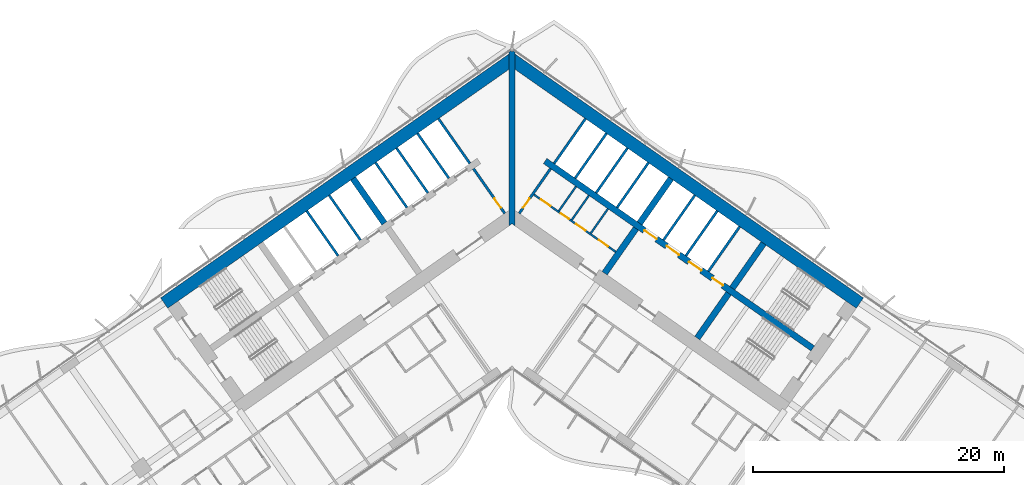
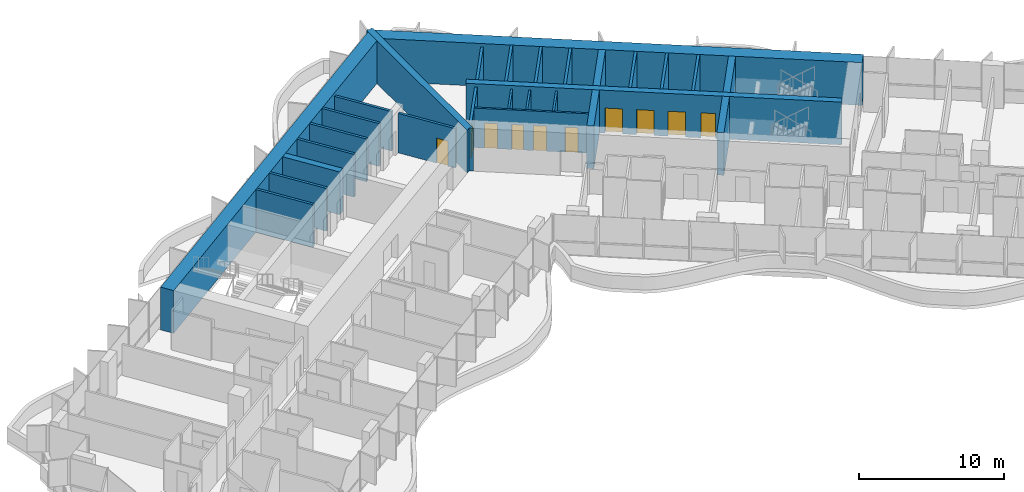
# One storey, part 16 of 25: 28 walls, 10 doors, 10 openings.
"""IFC4 building model written with IfcOpenShell, lengths in metres."""

from ifc_helpers import new_model, si_unit, direction, frame, frame_2d, origin, place, context, subcontext, project, spatial, polyline, rectangle, outline, extrude, material, layer, layer_set, type_object, element, fill, save


model = new_model("IFC4")

# Units and contexts
model_context = context("Model", 3, precision=1e-05, world=origin(), true_north=direction((0.0, 1.0)))
body_context = subcontext(model_context, "Body", "Model", "MODEL_VIEW")
ifc_project = project(units=[si_unit("LENGTHUNIT", "METRE"), si_unit("AREAUNIT", "SQUARE_METRE"), si_unit("VOLUMEUNIT", "CUBIC_METRE"), si_unit("PLANEANGLEUNIT", "RADIAN"), si_unit("MASSUNIT", "GRAM", prefix="KILO")], contexts=[model_context])

# Site, building, storey
site_placement = place(None, origin())
site = spatial("IfcSite", under=ifc_project, at=site_placement, CompositionType="ELEMENT")
building_placement = place(site_placement, origin())
building = spatial("IfcBuilding", under=site, at=building_placement, Name="Tel Ilan Convention Tower", CompositionType="ELEMENT")
storey_placement = place(building_placement, frame((0.0, 0.0, 54.5)))
storey = spatial("IfcBuildingStorey", under=building, at=storey_placement, Name="L08", CompositionType="ELEMENT", Elevation=54.5)

# Wall, openings, doors
ifc_material_1 = material(Name="Gypsum Plasterboard on Steel Stud", Category="steel")
ifc_layer_1 = layer(ifc_material_1, 0.14990234375)
ifc_layer_set_1 = layer_set([ifc_layer_1], Name="Core Room Partition Wall 150 mm EI 60")
wall_type_1 = type_object("IfcWallType", Name="Core Room Partition Wall 150 mm EI 60", PredefinedType="PARTITIONING", material=ifc_layer_set_1)
wall_1_placement = place(storey_placement, frame((1.7451171875, 1.097412109375, 0.0), z_axis=(0.0, 0.0, 1.0), x_axis=(0.819156890572, -0.573569515079, 0.0)))
wall_1 = element("IfcWall", 1, at=wall_1_placement, inside=storey, type_object=wall_type_1, Name="L08 core wall wc-h1", PredefinedType="PARTITIONING", context=body_context, shape_type="SweptSolid", body=[
    extrude(rectangle(XDim=7.949951171875, YDim=0.14990234375, at=frame_2d((3.97509765625, 0.0))), origin(), (0.0, 0.0, 1.0), 3.320068359375),
])
opening_1_placement = place(wall_1_placement, frame((0.699951171875, 0.0, 0.0)))
opening_1 = element("IfcOpeningElement", 2, at=opening_1_placement, cuts=wall_1, Name="Opening CD1110", PredefinedType="OPENING", context=body_context, shape_type="SweptSolid", body=[
    extrude(rectangle(XDim=0.89990234375, YDim=2.10009765625, at=frame_2d((0.449951171875, 1.050048828125))), frame((0.0, 0.0849609375, 0.0), z_axis=(0.0, -1.0, 0.0), x_axis=(1.0, 0.0, 0.0)), (0.0, 0.0, 1.0), 0.169921875),
])
opening_2_placement = place(wall_1_placement, frame((2.60009765625, 0.0, 0.0)))
opening_2 = element("IfcOpeningElement", 3, at=opening_2_placement, cuts=wall_1, Name="Opening CD1109", PredefinedType="OPENING", context=body_context, shape_type="SweptSolid", body=[
    extrude(rectangle(XDim=0.800048828125, YDim=2.10009765625, at=frame_2d((0.39990234375, 1.050048828125))), frame((0.0, 0.0849609375, 0.0), z_axis=(0.0, -1.0, 0.0), x_axis=(1.0, 0.0, 0.0)), (0.0, 0.0, 1.0), 0.169921875),
])
opening_3_placement = place(wall_1_placement, frame((4.10009765625, 0.0, 0.0)))
opening_3 = element("IfcOpeningElement", 4, at=opening_3_placement, cuts=wall_1, Name="Opening CD1108", PredefinedType="OPENING", context=body_context, shape_type="SweptSolid", body=[
    extrude(rectangle(XDim=0.89990234375, YDim=2.10009765625, at=frame_2d((0.449951171875, 1.050048828125))), frame((0.0, 0.0849609375, 0.0), z_axis=(0.0, -1.0, 0.0), x_axis=(1.0, 0.0, 0.0)), (0.0, 0.0, 1.0), 0.169921875),
])
opening_4_placement = place(wall_1_placement, frame((6.300048828125, 0.0, 0.0)))
opening_4 = element("IfcOpeningElement", 5, at=opening_4_placement, cuts=wall_1, Name="Opening CD1111", PredefinedType="OPENING", context=body_context, shape_type="SweptSolid", body=[
    extrude(rectangle(XDim=0.89990234375, YDim=2.10009765625, at=frame_2d((0.449951171875, 1.050048828125))), frame((0.0, 0.0849609375, 0.0), z_axis=(0.0, -1.0, 0.0), x_axis=(1.0, 0.0, 0.0)), (0.0, 0.0, 1.0), 0.169921875),
])
ifc_material_2 = material(Name="Galvanised Steel Door Leaf", Category="steel")
door_type_1 = type_object("IfcDoorType", Name="Store Door 800 x 2100 FD60", OperationType="NOTDEFINED", PredefinedType="DOOR", material=ifc_material_2)
door_1_placement = place(opening_2_placement, origin())
door_1 = element("IfcDoor", 6, at=door_1_placement, inside=storey, type_object=door_type_1, Name="Cleaner's store door", OperationType="SINGLE_SWING_RIGHT", OverallHeight=2.10009765625, OverallWidth=0.800048828125, PredefinedType="DOOR", context=body_context, shape_type="SweptSolid", body=[
    extrude(rectangle(XDim=0.800048828125, YDim=2.10009765625, at=frame_2d((0.39990234375, 1.050048828125))), frame((0.0, 0.02490234375, 0.0), z_axis=(0.0, -1.0, 0.0), x_axis=(1.0, 0.0, 0.0)), (0.0, 0.0, 1.0), 0.050048828125),
])
fill(opening_2, door_1)
ifc_material_3 = material(Name="Laminated Timber Door Leaf", Category="wood")
door_type_2 = type_object("IfcDoorType", Name="Toilet Door 900 x 2100 FD30S", OperationType="NOTDEFINED", PredefinedType="DOOR", material=ifc_material_3)
door_2_placement = place(opening_1_placement, origin())
door_2 = element("IfcDoor", 7, at=door_2_placement, inside=storey, type_object=door_type_2, Name="Men's WC door", OperationType="SINGLE_SWING_RIGHT", OverallHeight=2.10009765625, OverallWidth=0.89990234375, PredefinedType="DOOR", context=body_context, shape_type="SweptSolid", body=[
    extrude(rectangle(XDim=0.89990234375, YDim=2.10009765625, at=frame_2d((0.449951171875, 1.050048828125))), frame((0.0, 0.02490234375, 0.0), z_axis=(0.0, -1.0, 0.0), x_axis=(1.0, 0.0, 0.0)), (0.0, 0.0, 1.0), 0.050048828125),
])
fill(opening_1, door_2)
door_3_placement = place(opening_3_placement, origin())
door_3 = element("IfcDoor", 8, at=door_3_placement, inside=storey, type_object=door_type_2, Name="Accessible WC door", OperationType="SINGLE_SWING_RIGHT", OverallHeight=2.10009765625, OverallWidth=0.89990234375, PredefinedType="DOOR", context=body_context, shape_type="SweptSolid", body=[
    extrude(rectangle(XDim=0.89990234375, YDim=2.10009765625, at=frame_2d((0.449951171875, 1.050048828125))), frame((0.0, 0.02490234375, 0.0), z_axis=(0.0, -1.0, 0.0), x_axis=(1.0, 0.0, 0.0)), (0.0, 0.0, 1.0), 0.050048828125),
])
fill(opening_3, door_3)
door_4_placement = place(opening_4_placement, origin())
door_4 = element("IfcDoor", 9, at=door_4_placement, inside=storey, type_object=door_type_2, Name="Women's WC door", OperationType="SINGLE_SWING_RIGHT", OverallHeight=2.10009765625, OverallWidth=0.89990234375, PredefinedType="DOOR", context=body_context, shape_type="SweptSolid", body=[
    extrude(rectangle(XDim=0.89990234375, YDim=2.10009765625, at=frame_2d((0.449951171875, 1.050048828125))), frame((0.0, 0.02490234375, 0.0), z_axis=(0.0, -1.0, 0.0), x_axis=(1.0, 0.0, 0.0)), (0.0, 0.0, 1.0), 0.050048828125),
])
fill(opening_4, door_4)

# Walls
for number, where, z_axis, x_axis, name in (
    (10, (3.733642578125, -0.203369140625, 0.0), (0.0, 0.0, 1.0), (0.573579618003, 0.819149816463, 0.0), "L08 core wall wc-v0"),
    (11, (4.757568359375, -0.92041015625, 0.0), (0.0, 0.0, 1.0), (0.573579618003, 0.819149816463, 0.0), "L08 core wall wc-v1"),
    (12, (6.27294921875, -1.9814453125, 0.0), (0.0, 0.0, 1.0), (0.573579618003, 0.819149816463, 0.0), "L08 core wall wc-v2"),
):
    element("IfcWall", number, at=place(storey_placement, frame(where, z_axis=z_axis, x_axis=x_axis)), inside=storey, type_object=wall_type_1, Name=name, PredefinedType="PARTITIONING", context=body_context, shape_type="SweptSolid", body=[
        extrude(rectangle(XDim=2.375, YDim=0.14990234375, at=frame_2d((1.1875, 0.0))), origin(), (0.0, 0.0, 1.0), 3.320068359375),
    ])

# Wall, opening, door
ifc_material_4 = material(Name="Concrete C30/37", Category="concrete")
ifc_layer_2 = layer(ifc_material_4, 0.199951171875)
ifc_layer_set_2 = layer_set([ifc_layer_2], Name="Core Service Room Wall 200 mm C30/37")
wall_type_2 = type_object("IfcWallType", Name="Core Service Room Wall 200 mm C30/37", PredefinedType="SOLIDWALL", material=ifc_layer_set_2)
wall_2_placement = place(storey_placement, frame((-0.573486328125, -0.401611328125, 0.0), z_axis=(0.0, 0.0, 1.0), x_axis=(-0.57356780395, 0.819158088694, 0.0)))
wall_2 = element("IfcWall", 13, at=wall_2_placement, inside=storey, type_object=wall_type_2, Name="L08 core wall apex-W", PredefinedType="SOLIDWALL", context=body_context, shape_type="SweptSolid", body=[
    extrude(rectangle(XDim=4.35009765625, YDim=0.199951171875, at=frame_2d((2.175048828125, 0.0))), origin(), (0.0, 0.0, 1.0), 3.320068359375),
])
opening_5_placement = place(wall_2_placement, frame((0.550048828125, 0.0, 0.0)))
opening_5 = element("IfcOpeningElement", 14, at=opening_5_placement, cuts=wall_2, Name="Opening CD1102", PredefinedType="OPENING", context=body_context, shape_type="SweptSolid", body=[
    extrude(rectangle(XDim=0.89990234375, YDim=2.10009765625, at=frame_2d((0.449951171875, 1.050048828125))), frame((0.0, 0.10986328125, 0.0), z_axis=(0.0, -1.0, 0.0), x_axis=(1.0, 0.0, 0.0)), (0.0, 0.0, 1.0), 0.219970703125),
])
ifc_material_5 = material(Name="Galvanised Steel Door Leaf", Category="steel")
door_type_3 = type_object("IfcDoorType", Name="Service Room Door 900 x 2100 FD60", OperationType="NOTDEFINED", PredefinedType="DOOR", material=ifc_material_5)
door_5_placement = place(opening_5_placement, origin())
door_5 = element("IfcDoor", 15, at=door_5_placement, inside=storey, type_object=door_type_3, Name="Riser Room door", OperationType="SINGLE_SWING_RIGHT", OverallHeight=2.10009765625, OverallWidth=0.89990234375, PredefinedType="DOOR", context=body_context, shape_type="SweptSolid", body=[
    extrude(rectangle(XDim=0.89990234375, YDim=2.10009765625, at=frame_2d((0.449951171875, 1.050048828125))), frame((0.0, 0.02490234375, 0.0), z_axis=(0.0, -1.0, 0.0), x_axis=(1.0, 0.0, 0.0)), (0.0, 0.0, 1.0), 0.050048828125),
])
fill(opening_5, door_5)

# Wall
wall_3_placement = place(storey_placement, frame((-3.355224609375, 3.5712890625, 0.0), z_axis=(0.0, 0.0, 1.0), x_axis=(-0.57356780395, 0.819158088694, 0.0)))
element("IfcWall", 16, at=wall_3_placement, inside=storey, type_object=wall_type_2, Name="L08 core wall apex-W-b", PredefinedType="SOLIDWALL", context=body_context, shape_type="SweptSolid", body=[
    extrude(rectangle(XDim=4.35009765625, YDim=0.199951171875, at=frame_2d((2.175048828125, 0.0))), origin(), (0.0, 0.0, 1.0), 3.320068359375),
])

# Wall, opening, door
wall_4_placement = place(storey_placement, frame((0.573486328125, -0.401611328125, 0.0), z_axis=(0.0, 0.0, 1.0), x_axis=(0.57356780395, 0.819158088694, 0.0)))
wall_4 = element("IfcWall", 17, at=wall_4_placement, inside=storey, type_object=wall_type_2, Name="L08 core wall apex-E", PredefinedType="SOLIDWALL", context=body_context, shape_type="SweptSolid", body=[
    extrude(rectangle(XDim=4.35009765625, YDim=0.199951171875, at=frame_2d((2.175048828125, 0.0))), origin(), (0.0, 0.0, 1.0), 3.320068359375),
])
opening_6_placement = place(wall_4_placement, frame((0.550048828125, 0.0, 0.0)))
opening_6 = element("IfcOpeningElement", 18, at=opening_6_placement, cuts=wall_4, Name="Opening CD1101", PredefinedType="OPENING", context=body_context, shape_type="SweptSolid", body=[
    extrude(rectangle(XDim=0.89990234375, YDim=2.10009765625, at=frame_2d((0.449951171875, 1.050048828125))), frame((0.0, 0.10986328125, 0.0), z_axis=(0.0, -1.0, 0.0), x_axis=(1.0, 0.0, 0.0)), (0.0, 0.0, 1.0), 0.219970703125),
])
door_6_placement = place(opening_6_placement, origin())
door_6 = element("IfcDoor", 19, at=door_6_placement, inside=storey, type_object=door_type_3, Name="Electrical Room door", OperationType="SINGLE_SWING_RIGHT", OverallHeight=2.10009765625, OverallWidth=0.89990234375, PredefinedType="DOOR", context=body_context, shape_type="SweptSolid", body=[
    extrude(rectangle(XDim=0.89990234375, YDim=2.10009765625, at=frame_2d((0.449951171875, 1.050048828125))), frame((0.0, 0.02490234375, 0.0), z_axis=(0.0, -1.0, 0.0), x_axis=(1.0, 0.0, 0.0)), (0.0, 0.0, 1.0), 0.050048828125),
])
fill(opening_6, door_6)

# Walls
wall_5_placement = place(storey_placement, frame((3.355224609375, 3.5712890625, 0.0), z_axis=(0.0, 0.0, 1.0), x_axis=(0.57356780395, 0.819158088694, 0.0)))
element("IfcWall", 20, at=wall_5_placement, inside=storey, type_object=wall_type_2, Name="L08 core wall apex-E-b", PredefinedType="SOLIDWALL", context=body_context, shape_type="SweptSolid", body=[
    extrude(rectangle(XDim=4.35009765625, YDim=0.199951171875, at=frame_2d((2.175048828125, 0.0))), origin(), (0.0, 0.0, 1.0), 3.320068359375),
])
ifc_material_6 = material(Name="Concrete C60/75", Category="concrete")
ifc_layer_3 = layer(ifc_material_6, 1.0)
ifc_layer_set_3 = layer_set([ifc_layer_3], Name="Core Shear Wall 1000 mm C60/75")
wall_type_3 = type_object("IfcWallType", Name="Core Shear Wall 1000 mm C60/75", PredefinedType="SHEAR", material=ifc_layer_set_3)
wall_6_placement = place(storey_placement, frame((0.036865234375, 11.8671875, 0.0), z_axis=(0.0, 0.0, 1.0), x_axis=(-0.819155306259, -0.573571777746, 0.0)))
element("IfcWall", 21, at=wall_6_placement, inside=storey, type_object=wall_type_3, Name="L08 core wall W-back", PredefinedType="SHEAR", context=body_context, shape_type="SweptSolid", body=[
    extrude(outline(polyline([(33.8369140625, 0.5), (0.7001953125, 0.499755859375), (0.0, -0.5), (33.8369140625, -0.5), (33.8369140625, 0.5)])), origin(), (0.0, 0.0, 1.0), 3.60009765625),
])
wall_7_placement = place(storey_placement, frame((-0.036865234375, 11.8671875, 0.0), z_axis=(0.0, 0.0, 1.0), x_axis=(0.819155306259, -0.573571777746, 0.0)))
element("IfcWall", 22, at=wall_7_placement, inside=storey, type_object=wall_type_3, Name="L08 core wall E-back", PredefinedType="SHEAR", context=body_context, shape_type="SweptSolid", body=[
    extrude(outline(polyline([(33.8369140625, 0.5), (0.0, 0.5), (0.7001953125, -0.499755859375), (33.8369140625, -0.5), (33.8369140625, 0.5)])), origin(), (0.0, 0.0, 1.0), 3.60009765625),
])
ifc_material_7 = material(Name="Concrete C60/75", Category="concrete")
ifc_layer_4 = layer(ifc_material_7, 0.5)
ifc_layer_set_4 = layer_set([ifc_layer_4], Name="Core Shear Wall 500 mm C60/75")
wall_type_4 = type_object("IfcWallType", Name="Core Shear Wall 500 mm C60/75", PredefinedType="SHEAR", material=ifc_layer_set_4)
wall_8_placement = place(storey_placement, frame((-10.154296875, -1.189208984375, 0.0), z_axis=(0.0, 0.0, 1.0), x_axis=(-0.573594173421, 0.819139624372, 0.0)))
element("IfcWall", 23, at=wall_8_placement, inside=storey, type_object=wall_type_4, Name="L08 core wall W-cross1-2", PredefinedType="SHEAR", context=body_context, shape_type="SweptSolid", body=[
    extrude(outline(polyline([(4.349853515625, -0.25), (4.349853515625, 0.25), (-0.000244140625, 0.25), (-0.000244140625, -0.25), (4.349853515625, -0.25)])), origin(), (0.0, 0.0, 1.0), 3.60009765625),
])
wall_9_placement = place(storey_placement, frame((7.372314453125, -5.162109375, 0.0), z_axis=(0.0, 0.0, 1.0), x_axis=(0.573594173421, 0.819139624372, 0.0)))
element("IfcWall", 24, at=wall_9_placement, inside=storey, type_object=wall_type_4, Name="L08 core wall E-cross1-1", PredefinedType="SHEAR", context=body_context, shape_type="SweptSolid", body=[
    extrude(outline(polyline([(0.0, 0.25), (0.0, -0.250244140625), (4.349853515625, -0.25), (4.349853515625, 0.25), (0.0, 0.25)])), origin(), (0.0, 0.0, 1.0), 3.60009765625),
])
wall_10_placement = place(storey_placement, frame((10.154296875, -1.189208984375, 0.0), z_axis=(0.0, 0.0, 1.0), x_axis=(0.573594173421, 0.819139624372, 0.0)))
element("IfcWall", 25, at=wall_10_placement, inside=storey, type_object=wall_type_4, Name="L08 core wall E-cross1-2", PredefinedType="SHEAR", context=body_context, shape_type="SweptSolid", body=[
    extrude(outline(polyline([(4.349853515625, -0.25), (4.349853515625, 0.25), (-0.000244140625, 0.25), (-0.000244140625, -0.25), (4.349853515625, -0.25)])), origin(), (0.0, 0.0, 1.0), 3.60009765625),
])
wall_11_placement = place(storey_placement, frame((14.74462890625, -10.324462890625, 0.0), z_axis=(0.0, 0.0, 1.0), x_axis=(0.57356780395, 0.819158088694, 0.0)))
element("IfcWall", 26, at=wall_11_placement, inside=storey, type_object=wall_type_4, Name="L08 core wall E-cross2-1", PredefinedType="SHEAR", context=body_context, shape_type="SweptSolid", body=[
    extrude(outline(polyline([(0.0, 0.25), (0.0, -0.25), (4.35009765625, -0.250244140625), (4.35009765625, 0.25), (0.0, 0.25)])), origin(), (0.0, 0.0, 1.0), 3.60009765625),
])
wall_12_placement = place(storey_placement, frame((17.526611328125, -6.3515625, 0.0), z_axis=(0.0, 0.0, 1.0), x_axis=(0.573530143085, 0.819184457233, 0.0)))
element("IfcWall", 27, at=wall_12_placement, inside=storey, type_object=wall_type_4, Name="L08 core wall E-cross2-2", PredefinedType="SHEAR", context=body_context, shape_type="SweptSolid", body=[
    extrude(outline(polyline([(4.35009765625, -0.250244140625), (4.35009765625, 0.249755859375), (0.0, 0.25), (0.0, -0.25), (4.35009765625, -0.250244140625)])), origin(), (0.0, 0.0, 1.0), 3.60009765625),
])

# Wall, openings, doors
wall_13_placement = place(storey_placement, frame((2.638427734375, 3.76806640625, 0.0), z_axis=(0.0, 0.0, 1.0), x_axis=(0.819148977158, -0.573580816643, 0.0)))
wall_13 = element("IfcWall", 28, at=wall_13_placement, inside=storey, type_object=wall_type_4, Name="L08 core wall E-spine", PredefinedType="SHEAR", context=body_context, shape_type="SweptSolid", body=[
    extrude(outline(polyline([(0.0, 0.25), (0.0, -0.25), (26.0, -0.249755859375), (26.0, 0.250244140625), (0.0, 0.25)])), origin(), (0.0, 0.0, 1.0), 3.60009765625),
])
opening_7_placement = place(wall_13_placement, frame((9.637451171875, 0.0, 0.0)))
opening_7 = element("IfcOpeningElement", 29, at=opening_7_placement, cuts=wall_13, Name="Opening LD1101", PredefinedType="OPENING", context=body_context, shape_type="SweptSolid", body=[
    extrude(rectangle(XDim=1.199951171875, YDim=2.10009765625, at=frame_2d((0.60009765625, 1.050048828125))), frame((0.0, 0.260009765625, 0.0), z_axis=(0.0, -1.0, 0.0), x_axis=(1.0, 0.0, 0.0)), (0.0, 0.0, 1.0), 0.52001953125),
])
opening_8_placement = place(wall_13_placement, frame((11.8125, 0.0, 0.0)))
opening_8 = element("IfcOpeningElement", 30, at=opening_8_placement, cuts=wall_13, Name="Opening LD1102", PredefinedType="OPENING", context=body_context, shape_type="SweptSolid", body=[
    extrude(rectangle(XDim=1.199951171875, YDim=2.10009765625, at=frame_2d((0.60009765625, 1.050048828125))), frame((0.0, 0.260009765625, 0.0), z_axis=(0.0, -1.0, 0.0), x_axis=(1.0, 0.0, 0.0)), (0.0, 0.0, 1.0), 0.52001953125),
])
opening_9_placement = place(wall_13_placement, frame((13.987548828125, 0.0, 0.0)))
opening_9 = element("IfcOpeningElement", 31, at=opening_9_placement, cuts=wall_13, Name="Opening LD1103", PredefinedType="OPENING", context=body_context, shape_type="SweptSolid", body=[
    extrude(rectangle(XDim=1.199951171875, YDim=2.10009765625, at=frame_2d((0.60009765625, 1.050048828125))), frame((0.0, 0.260009765625, 0.0), z_axis=(0.0, -1.0, 0.0), x_axis=(1.0, 0.0, 0.0)), (0.0, 0.0, 1.0), 0.52001953125),
])
opening_10_placement = place(wall_13_placement, frame((16.262451171875, 0.0, 0.0)))
opening_10 = element("IfcOpeningElement", 32, at=opening_10_placement, cuts=wall_13, Name="Opening CD1107", PredefinedType="OPENING", context=body_context, shape_type="SweptSolid", body=[
    extrude(rectangle(XDim=1.0, YDim=2.10009765625, at=frame_2d((0.5, 1.050048828125))), frame((0.0, 0.260009765625, 0.0), z_axis=(0.0, -1.0, 0.0), x_axis=(1.0, 0.0, 0.0)), (0.0, 0.0, 1.0), 0.52001953125),
])
ifc_material_8 = material(Name="Stainless Steel Sliding Door Leaf", Category="steel")
door_type_4 = type_object("IfcDoorType", Name="Lift Landing Door 1200 x 2100 FD120", OperationType="NOTDEFINED", PredefinedType="DOOR", material=ifc_material_8)
door_7_placement = place(opening_7_placement, origin())
door_7 = element("IfcDoor", 33, at=door_7_placement, inside=storey, type_object=door_type_4, Name="Lift FL1 landing door", OperationType="SLIDING_TO_LEFT", OverallHeight=2.10009765625, OverallWidth=1.199951171875, PredefinedType="DOOR", context=body_context, shape_type="SweptSolid", body=[
    extrude(rectangle(XDim=1.199951171875, YDim=2.10009765625, at=frame_2d((0.60009765625, 1.050048828125))), frame((0.0, 0.02490234375, 0.0), z_axis=(0.0, -1.0, 0.0), x_axis=(1.0, 0.0, 0.0)), (0.0, 0.0, 1.0), 0.050048828125),
])
fill(opening_7, door_7)
door_8_placement = place(opening_8_placement, origin())
door_8 = element("IfcDoor", 34, at=door_8_placement, inside=storey, type_object=door_type_4, Name="Lift FL2 landing door", OperationType="SLIDING_TO_RIGHT", OverallHeight=2.10009765625, OverallWidth=1.199951171875, PredefinedType="DOOR", context=body_context, shape_type="SweptSolid", body=[
    extrude(rectangle(XDim=1.199951171875, YDim=2.10009765625, at=frame_2d((0.60009765625, 1.050048828125))), frame((0.0, 0.02490234375, 0.0), z_axis=(0.0, -1.0, 0.0), x_axis=(1.0, 0.0, 0.0)), (0.0, 0.0, 1.0), 0.050048828125),
])
fill(opening_8, door_8)
door_9_placement = place(opening_9_placement, origin())
door_9 = element("IfcDoor", 35, at=door_9_placement, inside=storey, type_object=door_type_4, Name="Lift FL3 landing door", OperationType="SLIDING_TO_LEFT", OverallHeight=2.10009765625, OverallWidth=1.199951171875, PredefinedType="DOOR", context=body_context, shape_type="SweptSolid", body=[
    extrude(rectangle(XDim=1.199951171875, YDim=2.10009765625, at=frame_2d((0.60009765625, 1.050048828125))), frame((0.0, 0.02490234375, 0.0), z_axis=(0.0, -1.0, 0.0), x_axis=(1.0, 0.0, 0.0)), (0.0, 0.0, 1.0), 0.050048828125),
])
fill(opening_9, door_9)
ifc_material_9 = material(Name="Galvanised Steel Door Leaf", Category="steel")
door_type_5 = type_object("IfcDoorType", Name="Service Room Door 1000 x 2100 FD60", OperationType="NOTDEFINED", PredefinedType="DOOR", material=ifc_material_9)
door_10_placement = place(opening_10_placement, origin())
door_10 = element("IfcDoor", 36, at=door_10_placement, inside=storey, type_object=door_type_5, Name="Plant Room door", OperationType="SINGLE_SWING_RIGHT", OverallHeight=2.10009765625, OverallWidth=1.0, PredefinedType="DOOR", context=body_context, shape_type="SweptSolid", body=[
    extrude(rectangle(XDim=1.0, YDim=2.10009765625, at=frame_2d((0.5, 1.050048828125))), frame((0.0, 0.02490234375, 0.0), z_axis=(0.0, -1.0, 0.0), x_axis=(1.0, 0.0, 0.0)), (0.0, 0.0, 1.0), 0.050048828125),
])
fill(opening_10, door_10)

# Walls
wall_14_placement = place(storey_placement, frame((0.0, -1.395751953125, 0.0), z_axis=(0.0, 0.0, 1.0), x_axis=(0.0, 1.0, 0.0)))
element("IfcWall", 37, at=wall_14_placement, inside=storey, type_object=wall_type_4, Name="L08 core wall K-central", PredefinedType="SHEAR", context=body_context, shape_type="SweptSolid", body=[
    extrude(outline(polyline([(0.0, -0.25), (0.175048828125, -0.25), (1.220703125, -0.25), (12.451904296875, -0.25), (13.84765625, -0.25), (13.85693359375, -0.25), (13.96826171875, -0.172119140625), (13.84765625, 0.0), (13.96826171875, 0.172119140625), (13.85693359375, 0.25), (13.84765625, 0.25), (12.451904296875, 0.25), (1.220703125, 0.25), (0.175048828125, 0.25), (0.0, 0.25), (0.175048828125, 0.0), (0.0, -0.25)])), origin(), (0.0, 0.0, 1.0), 3.60009765625),
])
ifc_material_10 = material(Name="Concrete C30/37", Category="concrete")
ifc_layer_5 = layer(ifc_material_10, 0.199951171875)
ifc_layer_set_5 = layer_set([ifc_layer_5], Name="Lift Shaft Wall 200 mm C30/37")
wall_type_5 = type_object("IfcWallType", Name="Lift Shaft Wall 200 mm C30/37", PredefinedType="SOLIDWALL", material=ifc_layer_set_5)
wall_15_placement = place(storey_placement, frame((-5.0244140625, 2.402587890625, 0.0), z_axis=(0.0, 0.0, 1.0), x_axis=(-0.573530143085, 0.819184457233, 0.0)))
element("IfcWall", 38, at=wall_15_placement, inside=storey, type_object=wall_type_5, Name="L08 core wall bank-W1-p0", PredefinedType="SOLIDWALL", context=body_context, shape_type="SweptSolid", body=[
    extrude(rectangle(XDim=4.35009765625, YDim=0.199951171875, at=frame_2d((2.175048828125, 0.0))), origin(), (0.0, 0.0, 1.0), 3.60009765625),
])
for number, where, z_axis, x_axis, name in (
    (39, (-6.693359375, 1.234130859375, 0.0), (0.0, 0.0, 1.0), (-0.573594173421, 0.819139624372, 0.0), "L08 core wall bank-W1-p1"),
    (40, (-8.3623046875, 0.0654296875, 0.0), (0.0, 0.0, 1.0), (-0.573594173421, 0.819139624372, 0.0), "L08 core wall bank-W1-p2"),
    (41, (-12.05859375, -2.52294921875, 0.0), (0.0, 0.0, 1.0), (-0.573594173421, 0.819139624372, 0.0), "L08 core wall bank-W2-p0"),
):
    element("IfcWall", number, at=place(storey_placement, frame(where, z_axis=z_axis, x_axis=x_axis)), inside=storey, type_object=wall_type_5, Name=name, PredefinedType="SOLIDWALL", context=body_context, shape_type="SweptSolid", body=[
        extrude(rectangle(XDim=4.349853515625, YDim=0.199951171875, at=frame_2d((2.1748046875, 0.0))), origin(), (0.0, 0.0, 1.0), 3.60009765625),
    ])
for number, where, z_axis, x_axis, name in (
    (42, (-13.84033203125, -3.7705078125, 0.0), (0.0, 0.0, 1.0), (-0.57356780395, 0.819158088694, 0.0), "L08 core wall bank-W2-p1"),
    (43, (5.0244140625, 2.402587890625, 0.0), (0.0, 0.0, 1.0), (0.573530143085, 0.819184457233, 0.0), "L08 core wall bank-E1-p0"),
):
    element("IfcWall", number, at=place(storey_placement, frame(where, z_axis=z_axis, x_axis=x_axis)), inside=storey, type_object=wall_type_5, Name=name, PredefinedType="SOLIDWALL", context=body_context, shape_type="SweptSolid", body=[
        extrude(rectangle(XDim=4.35009765625, YDim=0.199951171875, at=frame_2d((2.175048828125, 0.0))), origin(), (0.0, 0.0, 1.0), 3.60009765625),
    ])
for number, where, z_axis, x_axis, name in (
    (44, (6.693359375, 1.234130859375, 0.0), (0.0, 0.0, 1.0), (0.573594173421, 0.819139624372, 0.0), "L08 core wall bank-E1-p1"),
    (45, (8.3623046875, 0.0654296875, 0.0), (0.0, 0.0, 1.0), (0.573594173421, 0.819139624372, 0.0), "L08 core wall bank-E1-p2"),
    (46, (12.05859375, -2.52294921875, 0.0), (0.0, 0.0, 1.0), (0.573594173421, 0.819139624372, 0.0), "L08 core wall bank-E2-p0"),
):
    element("IfcWall", number, at=place(storey_placement, frame(where, z_axis=z_axis, x_axis=x_axis)), inside=storey, type_object=wall_type_5, Name=name, PredefinedType="SOLIDWALL", context=body_context, shape_type="SweptSolid", body=[
        extrude(rectangle(XDim=4.349853515625, YDim=0.199951171875, at=frame_2d((2.1748046875, 0.0))), origin(), (0.0, 0.0, 1.0), 3.60009765625),
    ])
wall_16_placement = place(storey_placement, frame((13.84033203125, -3.7705078125, 0.0), z_axis=(0.0, 0.0, 1.0), x_axis=(0.57356780395, 0.819158088694, 0.0)))
element("IfcWall", 47, at=wall_16_placement, inside=storey, type_object=wall_type_5, Name="L08 core wall bank-E2-p1", PredefinedType="SOLIDWALL", context=body_context, shape_type="SweptSolid", body=[
    extrude(rectangle(XDim=4.35009765625, YDim=0.199951171875, at=frame_2d((2.175048828125, 0.0))), origin(), (0.0, 0.0, 1.0), 3.60009765625),
])
wall_17_placement = place(storey_placement, frame((15.6220703125, -5.017822265625, 0.0), z_axis=(0.0, 0.0, 1.0), x_axis=(0.573594173421, 0.819139624372, 0.0)))
element("IfcWall", 48, at=wall_17_placement, inside=storey, type_object=wall_type_5, Name="L08 core wall bank-E2-p2", PredefinedType="SOLIDWALL", context=body_context, shape_type="SweptSolid", body=[
    extrude(rectangle(XDim=4.349853515625, YDim=0.199951171875, at=frame_2d((2.1748046875, 0.0))), origin(), (0.0, 0.0, 1.0), 3.60009765625),
])

save(model, "model.ifc")
